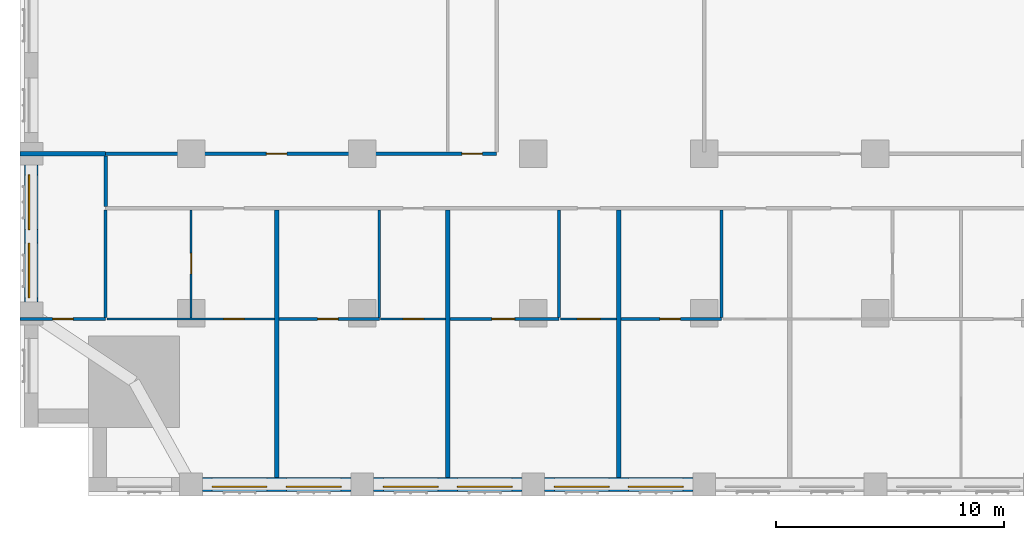
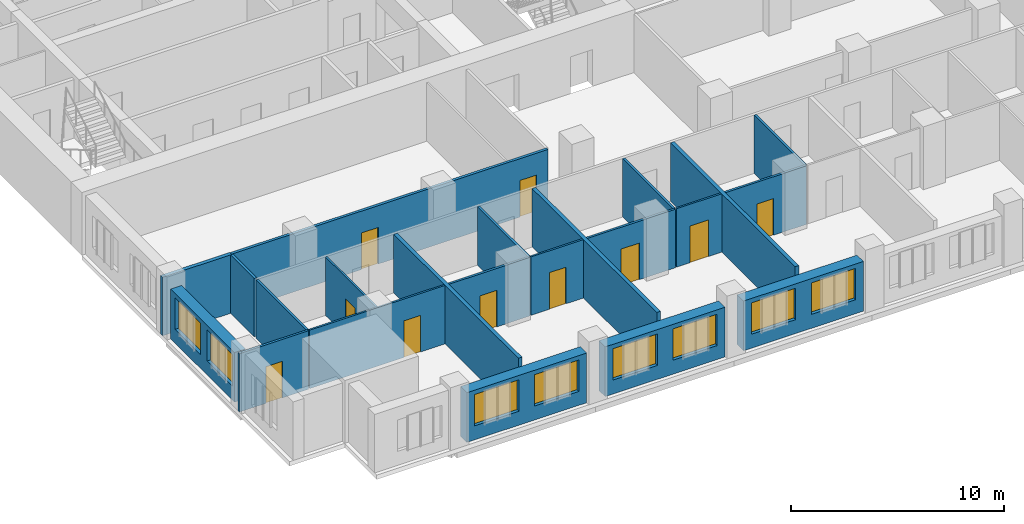
# One storey, part 4 of 14: 22 walls, 10 doors, 8 windows, 18 openings.
"""IFC4 building model written with IfcOpenShell, lengths in metres."""

from ifc_helpers import new_model, si_unit, direction, frame, frame_2d, origin, place, context, subcontext, project, spatial, rectangle, extrude, material, layer, layer_set, type_object, element, fill, save


model = new_model("IFC4")

# Units and contexts
model_context = context("Model", 3, precision=1e-05, world=origin(), true_north=direction((0.0, 1.0)))
body_context = subcontext(model_context, "Body", "Model", "MODEL_VIEW")
ifc_project = project(units=[si_unit("LENGTHUNIT", "METRE"), si_unit("AREAUNIT", "SQUARE_METRE"), si_unit("VOLUMEUNIT", "CUBIC_METRE"), si_unit("PLANEANGLEUNIT", "RADIAN"), si_unit("MASSUNIT", "GRAM", prefix="KILO")], contexts=[model_context])

# Site, building, storey
site_placement = place(None, origin())
site = spatial("IfcSite", under=ifc_project, at=site_placement, CompositionType="ELEMENT")
building_placement = place(site_placement, origin())
building = spatial("IfcBuilding", under=site, at=building_placement, Name="Tamorin Gate", CompositionType="ELEMENT")
storey_placement = place(building_placement, frame((0.0, 0.0, 52.0)))
storey = spatial("IfcBuildingStorey", under=building, at=storey_placement, Name="L11", CompositionType="ELEMENT", Elevation=52.0)

# Wall, openings, windows
ifc_material_1 = material(Name="Precast concrete C40/50", Category="concrete")
ifc_layer_1 = layer(ifc_material_1, 0.60009765625)
ifc_layer_set_1 = layer_set([ifc_layer_1], Name="Precast concrete C40/50")
wall_type_1 = type_object("IfcWallType", Name="Board-marked concrete facade panel 600", PredefinedType="SOLIDWALL", material=ifc_layer_set_1)
wall_1_placement = place(storey_placement, frame((38.0, 38.0, 0.0), z_axis=(0.0, 0.0, 1.0), x_axis=(1.0, 0.0, 0.0)))
wall_1 = element("IfcWall", 1, at=wall_1_placement, inside=storey, type_object=wall_type_1, Name="Facade panel", PredefinedType="SOLIDWALL", context=body_context, shape_type="SweptSolid", body=[
    extrude(rectangle(XDim=6.5, YDim=0.60009765625, at=frame_2d((3.25, 0.0))), origin(), (0.0, 0.0, 1.0), 2.85009765625),
])
opening_1_placement = place(wall_1_placement, frame((0.425048828125, 0.0, 0.800048828125)))
opening_1 = element("IfcOpeningElement", 2, at=opening_1_placement, cuts=wall_1, Name="Opening WN1", PredefinedType="OPENING", context=body_context, shape_type="SweptSolid", body=[
    extrude(rectangle(XDim=2.39990234375, YDim=1.800048828125, at=frame_2d((1.199951171875, 0.89990234375))), frame((0.0, 0.31005859375, 0.0), z_axis=(0.0, -1.0, 0.0), x_axis=(1.0, 0.0, 0.0)), (0.0, 0.0, 1.0), 0.6201171875),
])
opening_2_placement = place(wall_1_placement, frame((3.675048828125, 0.0, 0.800048828125)))
opening_2 = element("IfcOpeningElement", 3, at=opening_2_placement, cuts=wall_1, Name="Opening WN1", PredefinedType="OPENING", context=body_context, shape_type="SweptSolid", body=[
    extrude(rectangle(XDim=2.39990234375, YDim=1.800048828125, at=frame_2d((1.199951171875, 0.89990234375))), frame((0.0, 0.31005859375, 0.0), z_axis=(0.0, -1.0, 0.0), x_axis=(1.0, 0.0, 0.0)), (0.0, 0.0, 1.0), 0.6201171875),
])
ifc_material_2 = material(Name="Clear glass in aluminium frame", Category="aluminium")
window_type = type_object("IfcWindowType", Name="Deep-set window 2400x1800", PartitioningType="SINGLE_PANEL", PredefinedType="WINDOW", material=ifc_material_2)
window_1_placement = place(opening_1_placement, origin())
window_1 = element("IfcWindow", 4, at=window_1_placement, inside=storey, type_object=window_type, Name="Deep-set window", OverallHeight=1.800048828125, OverallWidth=2.39990234375, PartitioningType="SINGLE_PANEL", PredefinedType="WINDOW", context=body_context, shape_type="SweptSolid", body=[
    extrude(rectangle(XDim=2.39990234375, YDim=1.800048828125, at=frame_2d((1.199951171875, 0.89990234375))), frame((0.0, -0.070068359375, 0.0), z_axis=(0.0, -1.0, 0.0), x_axis=(1.0, 0.0, 0.0)), (0.0, 0.0, 1.0), 0.06005859375),
])
fill(opening_1, window_1)
window_2_placement = place(opening_2_placement, origin())
window_2 = element("IfcWindow", 5, at=window_2_placement, inside=storey, type_object=window_type, Name="Deep-set window", OverallHeight=1.800048828125, OverallWidth=2.39990234375, PartitioningType="SINGLE_PANEL", PredefinedType="WINDOW", context=body_context, shape_type="SweptSolid", body=[
    extrude(rectangle(XDim=2.39990234375, YDim=1.800048828125, at=frame_2d((1.199951171875, 0.89990234375))), frame((0.0, -0.070068359375, 0.0), z_axis=(0.0, -1.0, 0.0), x_axis=(1.0, 0.0, 0.0)), (0.0, 0.0, 1.0), 0.06005859375),
])
fill(opening_2, window_2)

wall_2_placement = place(storey_placement, frame((45.5, 38.0, 0.0), z_axis=(0.0, 0.0, 1.0), x_axis=(1.0, 0.0, 0.0)))
wall_2 = element("IfcWall", 6, at=wall_2_placement, inside=storey, type_object=wall_type_1, Name="Facade panel", PredefinedType="SOLIDWALL", context=body_context, shape_type="SweptSolid", body=[
    extrude(rectangle(XDim=6.5, YDim=0.60009765625, at=frame_2d((3.25, 0.0))), origin(), (0.0, 0.0, 1.0), 2.85009765625),
])
opening_3_placement = place(wall_2_placement, frame((0.425048828125, 0.0, 0.800048828125)))
opening_3 = element("IfcOpeningElement", 7, at=opening_3_placement, cuts=wall_2, Name="Opening WN1", PredefinedType="OPENING", context=body_context, shape_type="SweptSolid", body=[
    extrude(rectangle(XDim=2.39990234375, YDim=1.800048828125, at=frame_2d((1.199951171875, 0.89990234375))), frame((0.0, 0.31005859375, 0.0), z_axis=(0.0, -1.0, 0.0), x_axis=(1.0, 0.0, 0.0)), (0.0, 0.0, 1.0), 0.6201171875),
])
opening_4_placement = place(wall_2_placement, frame((3.675048828125, 0.0, 0.800048828125)))
opening_4 = element("IfcOpeningElement", 8, at=opening_4_placement, cuts=wall_2, Name="Opening WN1", PredefinedType="OPENING", context=body_context, shape_type="SweptSolid", body=[
    extrude(rectangle(XDim=2.39990234375, YDim=1.800048828125, at=frame_2d((1.199951171875, 0.89990234375))), frame((0.0, 0.31005859375, 0.0), z_axis=(0.0, -1.0, 0.0), x_axis=(1.0, 0.0, 0.0)), (0.0, 0.0, 1.0), 0.6201171875),
])
window_3_placement = place(opening_3_placement, origin())
window_3 = element("IfcWindow", 9, at=window_3_placement, inside=storey, type_object=window_type, Name="Deep-set window", OverallHeight=1.800048828125, OverallWidth=2.39990234375, PartitioningType="SINGLE_PANEL", PredefinedType="WINDOW", context=body_context, shape_type="SweptSolid", body=[
    extrude(rectangle(XDim=2.39990234375, YDim=1.800048828125, at=frame_2d((1.199951171875, 0.89990234375))), frame((0.0, -0.070068359375, 0.0), z_axis=(0.0, -1.0, 0.0), x_axis=(1.0, 0.0, 0.0)), (0.0, 0.0, 1.0), 0.06005859375),
])
fill(opening_3, window_3)
window_4_placement = place(opening_4_placement, origin())
window_4 = element("IfcWindow", 10, at=window_4_placement, inside=storey, type_object=window_type, Name="Deep-set window", OverallHeight=1.800048828125, OverallWidth=2.39990234375, PartitioningType="SINGLE_PANEL", PredefinedType="WINDOW", context=body_context, shape_type="SweptSolid", body=[
    extrude(rectangle(XDim=2.39990234375, YDim=1.800048828125, at=frame_2d((1.199951171875, 0.89990234375))), frame((0.0, -0.070068359375, 0.0), z_axis=(0.0, -1.0, 0.0), x_axis=(1.0, 0.0, 0.0)), (0.0, 0.0, 1.0), 0.06005859375),
])
fill(opening_4, window_4)

wall_3_placement = place(storey_placement, frame((53.0, 38.0, 0.0), z_axis=(0.0, 0.0, 1.0), x_axis=(1.0, 0.0, 0.0)))
wall_3 = element("IfcWall", 11, at=wall_3_placement, inside=storey, type_object=wall_type_1, Name="Facade panel", PredefinedType="SOLIDWALL", context=body_context, shape_type="SweptSolid", body=[
    extrude(rectangle(XDim=6.5, YDim=0.60009765625, at=frame_2d((3.25, 0.0))), origin(), (0.0, 0.0, 1.0), 2.85009765625),
])
opening_5_placement = place(wall_3_placement, frame((0.425048828125, 0.0, 0.800048828125)))
opening_5 = element("IfcOpeningElement", 12, at=opening_5_placement, cuts=wall_3, Name="Opening WN1", PredefinedType="OPENING", context=body_context, shape_type="SweptSolid", body=[
    extrude(rectangle(XDim=2.39990234375, YDim=1.800048828125, at=frame_2d((1.199951171875, 0.89990234375))), frame((0.0, 0.31005859375, 0.0), z_axis=(0.0, -1.0, 0.0), x_axis=(1.0, 0.0, 0.0)), (0.0, 0.0, 1.0), 0.6201171875),
])
opening_6_placement = place(wall_3_placement, frame((3.675048828125, 0.0, 0.800048828125)))
opening_6 = element("IfcOpeningElement", 13, at=opening_6_placement, cuts=wall_3, Name="Opening WN1", PredefinedType="OPENING", context=body_context, shape_type="SweptSolid", body=[
    extrude(rectangle(XDim=2.39990234375, YDim=1.800048828125, at=frame_2d((1.199951171875, 0.89990234375))), frame((0.0, 0.31005859375, 0.0), z_axis=(0.0, -1.0, 0.0), x_axis=(1.0, 0.0, 0.0)), (0.0, 0.0, 1.0), 0.6201171875),
])
window_5_placement = place(opening_5_placement, origin())
window_5 = element("IfcWindow", 14, at=window_5_placement, inside=storey, type_object=window_type, Name="Deep-set window", OverallHeight=1.800048828125, OverallWidth=2.39990234375, PartitioningType="SINGLE_PANEL", PredefinedType="WINDOW", context=body_context, shape_type="SweptSolid", body=[
    extrude(rectangle(XDim=2.39990234375, YDim=1.800048828125, at=frame_2d((1.199951171875, 0.89990234375))), frame((0.0, -0.070068359375, 0.0), z_axis=(0.0, -1.0, 0.0), x_axis=(1.0, 0.0, 0.0)), (0.0, 0.0, 1.0), 0.06005859375),
])
fill(opening_5, window_5)
window_6_placement = place(opening_6_placement, origin())
window_6 = element("IfcWindow", 15, at=window_6_placement, inside=storey, type_object=window_type, Name="Deep-set window", OverallHeight=1.800048828125, OverallWidth=2.39990234375, PartitioningType="SINGLE_PANEL", PredefinedType="WINDOW", context=body_context, shape_type="SweptSolid", body=[
    extrude(rectangle(XDim=2.39990234375, YDim=1.800048828125, at=frame_2d((1.199951171875, 0.89990234375))), frame((0.0, -0.070068359375, 0.0), z_axis=(0.0, -1.0, 0.0), x_axis=(1.0, 0.0, 0.0)), (0.0, 0.0, 1.0), 0.06005859375),
])
fill(opening_6, window_6)

wall_4_placement = place(storey_placement, frame((30.5, 52.0, 0.0), z_axis=(0.0, 0.0, 1.0), x_axis=(0.0, -1.0, 0.0)))
wall_4 = element("IfcWall", 16, at=wall_4_placement, inside=storey, type_object=wall_type_1, Name="Facade panel", PredefinedType="SOLIDWALL", context=body_context, shape_type="SweptSolid", body=[
    extrude(rectangle(XDim=6.0, YDim=0.60009765625, at=frame_2d((3.0, 0.0))), origin(), (0.0, 0.0, 1.0), 2.85009765625),
])
opening_7_placement = place(wall_4_placement, frame((3.425048828125, 0.0, 0.800048828125)))
opening_7 = element("IfcOpeningElement", 17, at=opening_7_placement, cuts=wall_4, Name="Opening WN1", PredefinedType="OPENING", context=body_context, shape_type="SweptSolid", body=[
    extrude(rectangle(XDim=2.39990234375, YDim=1.800048828125, at=frame_2d((1.199951171875, 0.89990234375))), frame((0.0, 0.31005859375, 0.0), z_axis=(0.0, -1.0, 0.0), x_axis=(1.0, 0.0, 0.0)), (0.0, 0.0, 1.0), 0.6201171875),
])
opening_8_placement = place(wall_4_placement, frame((0.425048828125, 0.0, 0.800048828125)))
opening_8 = element("IfcOpeningElement", 18, at=opening_8_placement, cuts=wall_4, Name="Opening WN1", PredefinedType="OPENING", context=body_context, shape_type="SweptSolid", body=[
    extrude(rectangle(XDim=2.39990234375, YDim=1.800048828125, at=frame_2d((1.199951171875, 0.89990234375))), frame((0.0, 0.31005859375, 0.0), z_axis=(0.0, -1.0, 0.0), x_axis=(1.0, 0.0, 0.0)), (0.0, 0.0, 1.0), 0.6201171875),
])
window_7_placement = place(opening_7_placement, origin())
window_7 = element("IfcWindow", 19, at=window_7_placement, inside=storey, type_object=window_type, Name="Deep-set window", OverallHeight=1.800048828125, OverallWidth=2.39990234375, PartitioningType="SINGLE_PANEL", PredefinedType="WINDOW", context=body_context, shape_type="SweptSolid", body=[
    extrude(rectangle(XDim=2.39990234375, YDim=1.800048828125, at=frame_2d((1.199951171875, 0.89990234375))), frame((0.0, -0.070068359375, 0.0), z_axis=(0.0, -1.0, 0.0), x_axis=(1.0, 0.0, 0.0)), (0.0, 0.0, 1.0), 0.06005859375),
])
fill(opening_7, window_7)
window_8_placement = place(opening_8_placement, origin())
window_8 = element("IfcWindow", 20, at=window_8_placement, inside=storey, type_object=window_type, Name="Deep-set window", OverallHeight=1.800048828125, OverallWidth=2.39990234375, PartitioningType="SINGLE_PANEL", PredefinedType="WINDOW", context=body_context, shape_type="SweptSolid", body=[
    extrude(rectangle(XDim=2.39990234375, YDim=1.800048828125, at=frame_2d((1.199951171875, 0.89990234375))), frame((0.0, -0.070068359375, 0.0), z_axis=(0.0, -1.0, 0.0), x_axis=(1.0, 0.0, 0.0)), (0.0, 0.0, 1.0), 0.06005859375),
])
fill(opening_8, window_8)

# Wall, openings, doors
ifc_material_3 = material(Name="Gypsum board partition")
ifc_layer_2 = layer(ifc_material_3, 0.14990234375)
ifc_layer_set_2 = layer_set([ifc_layer_2], Name="Corridor wall 150")
wall_type_2 = type_object("IfcWallType", Name="Corridor wall 150", PredefinedType="PARTITIONING", material=ifc_layer_set_2)
wall_5_placement = place(storey_placement, frame((33.75, 52.5, 0.0), z_axis=(0.0, 0.0, 1.0), x_axis=(1.0, 0.0, 0.0)))
wall_5 = element("IfcWall", 21, at=wall_5_placement, inside=storey, type_object=wall_type_2, Name="Corridor wall 150", PredefinedType="PARTITIONING", context=body_context, shape_type="SweptSolid", body=[
    extrude(rectangle(XDim=17.14990234375, YDim=0.14990234375, at=frame_2d((8.574951171875, 0.0))), origin(), (0.0, 0.0, 1.0), 3.35009765625),
])
opening_9_placement = place(wall_5_placement, frame((7.050048828125, 0.0, 0.0)))
opening_9 = element("IfcOpeningElement", 22, at=opening_9_placement, cuts=wall_5, Name="Opening DH2067", PredefinedType="OPENING", context=body_context, shape_type="SweptSolid", body=[
    extrude(rectangle(XDim=0.89990234375, YDim=2.10009765625, at=frame_2d((0.449951171875, 1.050048828125))), frame((0.0, 0.0849609375, 0.0), z_axis=(0.0, -1.0, 0.0), x_axis=(1.0, 0.0, 0.0)), (0.0, 0.0, 1.0), 0.169921875),
])
opening_10_placement = place(wall_5_placement, frame((15.625, 0.0, 0.0)))
opening_10 = element("IfcOpeningElement", 23, at=opening_10_placement, cuts=wall_5, Name="Opening DH2068", PredefinedType="OPENING", context=body_context, shape_type="SweptSolid", body=[
    extrude(rectangle(XDim=0.89990234375, YDim=2.10009765625, at=frame_2d((0.449951171875, 1.050048828125))), frame((0.0, 0.0849609375, 0.0), z_axis=(0.0, -1.0, 0.0), x_axis=(1.0, 0.0, 0.0)), (0.0, 0.0, 1.0), 0.169921875),
])
ifc_material_4 = material(Name="Timber door leaf", Category="wood")
door_type_1 = type_object("IfcDoorType", Name="Door 900 x 2100 FD30S", OperationType="NOTDEFINED", PredefinedType="DOOR", material=ifc_material_4)
door_1_placement = place(opening_9_placement, origin())
door_1 = element("IfcDoor", 24, at=door_1_placement, inside=storey, type_object=door_type_1, Name="Door DH2067", OperationType="SINGLE_SWING_LEFT", OverallHeight=2.10009765625, OverallWidth=0.89990234375, PredefinedType="DOOR", context=body_context, shape_type="SweptSolid", body=[
    extrude(rectangle(XDim=0.89990234375, YDim=2.10009765625, at=frame_2d((0.449951171875, 1.050048828125))), frame((0.0, 0.02490234375, 0.0), z_axis=(0.0, -1.0, 0.0), x_axis=(1.0, 0.0, 0.0)), (0.0, 0.0, 1.0), 0.050048828125),
])
fill(opening_9, door_1)
door_2_placement = place(opening_10_placement, origin())
door_2 = element("IfcDoor", 25, at=door_2_placement, inside=storey, type_object=door_type_1, Name="Door DH2068", OperationType="SINGLE_SWING_LEFT", OverallHeight=2.10009765625, OverallWidth=0.89990234375, PredefinedType="DOOR", context=body_context, shape_type="SweptSolid", body=[
    extrude(rectangle(XDim=0.89990234375, YDim=2.10009765625, at=frame_2d((0.449951171875, 1.050048828125))), frame((0.0, 0.02490234375, 0.0), z_axis=(0.0, -1.0, 0.0), x_axis=(1.0, 0.0, 0.0)), (0.0, 0.0, 1.0), 0.050048828125),
])
fill(opening_10, door_2)

# Walls
wall_6_placement = place(storey_placement, frame((33.75, 50.175048828125, 0.0), z_axis=(0.0, 0.0, 1.0), x_axis=(0.0, 1.0, 0.0)))
element("IfcWall", 26, at=wall_6_placement, inside=storey, type_object=wall_type_2, Name="Corridor wall 150", PredefinedType="PARTITIONING", context=body_context, shape_type="SweptSolid", body=[
    extrude(rectangle(XDim=2.224853515625, YDim=0.14990234375, at=frame_2d((1.1123046875, 0.0))), origin(), (0.0, 0.0, 1.0), 3.35009765625),
])
ifc_layer_3 = layer(ifc_material_3, 0.199951171875)
ifc_layer_set_3 = layer_set([ifc_layer_3], Name="Demising wall 200")
wall_type_3 = type_object("IfcWallType", Name="Demising wall 200", PredefinedType="PARTITIONING", material=ifc_layer_set_3)
wall_7_placement = place(storey_placement, frame((30.0, 52.5, 0.0), z_axis=(0.0, 0.0, 1.0), x_axis=(1.0, 0.0, 0.0)))
element("IfcWall", 27, at=wall_7_placement, inside=storey, type_object=wall_type_3, Name="Demising wall 200", PredefinedType="PARTITIONING", context=body_context, shape_type="SweptSolid", body=[
    extrude(rectangle(XDim=3.75, YDim=0.199951171875, at=frame_2d((1.875, 0.0))), origin(), (0.0, 0.0, 1.0), 3.35009765625),
])
for number, where, z_axis, x_axis, name in (
    (28, (41.25, 38.31005859375, 0.0), (0.0, 0.0, 1.0), (0.0, 1.0, 0.0), "Demising wall 200"),
    (29, (48.75, 38.31005859375, 0.0), (0.0, 0.0, 1.0), (0.0, 1.0, 0.0), "Demising wall 200"),
    (30, (56.25, 38.31005859375, 0.0), (0.0, 0.0, 1.0), (0.0, 1.0, 0.0), "Demising wall 200"),
):
    element("IfcWall", number, at=place(storey_placement, frame(where, z_axis=z_axis, x_axis=x_axis)), inside=storey, type_object=wall_type_3, Name=name, PredefinedType="PARTITIONING", context=body_context, shape_type="SweptSolid", body=[
        extrude(rectangle(XDim=11.71484375, YDim=0.199951171875, at=frame_2d((5.857421875, 0.0))), origin(), (0.0, 0.0, 1.0), 3.35009765625),
    ])

# Wall, opening, door
ifc_layer_4 = layer(ifc_material_3, 0.10009765625)
ifc_layer_set_4 = layer_set([ifc_layer_4], Name="Room partition 100")
wall_type_4 = type_object("IfcWallType", Name="Room partition 100", PredefinedType="PARTITIONING", material=ifc_layer_set_4)
wall_8_placement = place(storey_placement, frame((33.8125, 45.25, 0.0), z_axis=(0.0, 0.0, 1.0), x_axis=(1.0, 0.0, 0.0)))
wall_8 = element("IfcWall", 31, at=wall_8_placement, inside=storey, type_object=wall_type_4, Name="Room partition 100", PredefinedType="PARTITIONING", context=body_context, shape_type="SweptSolid", body=[
    extrude(rectangle(XDim=7.33740234375, YDim=0.10009765625, at=frame_2d((3.668701171875, 0.0))), origin(), (0.0, 0.0, 1.0), 3.35009765625),
])
opening_11_placement = place(wall_8_placement, frame((5.112548828125, 0.0, 0.0)))
opening_11 = element("IfcOpeningElement", 32, at=opening_11_placement, cuts=wall_8, Name="Opening DH2004", PredefinedType="OPENING", context=body_context, shape_type="SweptSolid", body=[
    extrude(rectangle(XDim=0.89990234375, YDim=2.10009765625, at=frame_2d((0.449951171875, 1.050048828125))), frame((0.0, 0.06005859375, 0.0), z_axis=(0.0, -1.0, 0.0), x_axis=(1.0, 0.0, 0.0)), (0.0, 0.0, 1.0), 0.1201171875),
])
door_type_2 = type_object("IfcDoorType", Name="Door 900 x 2100", OperationType="NOTDEFINED", PredefinedType="DOOR", material=ifc_material_4)
door_3_placement = place(opening_11_placement, origin())
door_3 = element("IfcDoor", 33, at=door_3_placement, inside=storey, type_object=door_type_2, Name="Door DH2004", OperationType="SINGLE_SWING_LEFT", OverallHeight=2.10009765625, OverallWidth=0.89990234375, PredefinedType="DOOR", context=body_context, shape_type="SweptSolid", body=[
    extrude(rectangle(XDim=0.89990234375, YDim=2.10009765625, at=frame_2d((0.449951171875, 1.050048828125))), frame((0.0, 0.02490234375, 0.0), z_axis=(0.0, -1.0, 0.0), x_axis=(1.0, 0.0, 0.0)), (0.0, 0.0, 1.0), 0.050048828125),
])
fill(opening_11, door_3)

wall_9_placement = place(storey_placement, frame((45.8125, 45.25, 0.0), z_axis=(0.0, 0.0, 1.0), x_axis=(1.0, 0.0, 0.0)))
wall_9 = element("IfcWall", 34, at=wall_9_placement, inside=storey, type_object=wall_type_4, Name="Room partition 100", PredefinedType="PARTITIONING", context=body_context, shape_type="SweptSolid", body=[
    extrude(rectangle(XDim=2.83740234375, YDim=0.10009765625, at=frame_2d((1.418701171875, 0.0))), origin(), (0.0, 0.0, 1.0), 3.35009765625),
])
opening_12_placement = place(wall_9_placement, frame((0.987548828125, 0.0, 0.0)))
opening_12 = element("IfcOpeningElement", 35, at=opening_12_placement, cuts=wall_9, Name="Opening DH2007", PredefinedType="OPENING", context=body_context, shape_type="SweptSolid", body=[
    extrude(rectangle(XDim=0.89990234375, YDim=2.10009765625, at=frame_2d((0.449951171875, 1.050048828125))), frame((0.0, 0.06005859375, 0.0), z_axis=(0.0, -1.0, 0.0), x_axis=(1.0, 0.0, 0.0)), (0.0, 0.0, 1.0), 0.1201171875),
])
door_4_placement = place(opening_12_placement, origin())
door_4 = element("IfcDoor", 36, at=door_4_placement, inside=storey, type_object=door_type_2, Name="Door DH2007", OperationType="SINGLE_SWING_LEFT", OverallHeight=2.10009765625, OverallWidth=0.89990234375, PredefinedType="DOOR", context=body_context, shape_type="SweptSolid", body=[
    extrude(rectangle(XDim=0.89990234375, YDim=2.10009765625, at=frame_2d((0.449951171875, 1.050048828125))), frame((0.0, 0.02490234375, 0.0), z_axis=(0.0, -1.0, 0.0), x_axis=(1.0, 0.0, 0.0)), (0.0, 0.0, 1.0), 0.050048828125),
])
fill(opening_12, door_4)

wall_10_placement = place(storey_placement, frame((53.6875, 45.25, 0.0), z_axis=(0.0, 0.0, 1.0), x_axis=(1.0, 0.0, 0.0)))
wall_10 = element("IfcWall", 37, at=wall_10_placement, inside=storey, type_object=wall_type_4, Name="Room partition 100", PredefinedType="PARTITIONING", context=body_context, shape_type="SweptSolid", body=[
    extrude(rectangle(XDim=2.46240234375, YDim=0.10009765625, at=frame_2d((1.231201171875, 0.0))), origin(), (0.0, 0.0, 1.0), 3.35009765625),
])
opening_13_placement = place(wall_10_placement, frame((0.75, 0.0, 0.0)))
opening_13 = element("IfcOpeningElement", 38, at=opening_13_placement, cuts=wall_10, Name="Opening DH2010", PredefinedType="OPENING", context=body_context, shape_type="SweptSolid", body=[
    extrude(rectangle(XDim=1.0, YDim=2.10009765625, at=frame_2d((0.5, 1.050048828125))), frame((0.0, 0.06005859375, 0.0), z_axis=(0.0, -1.0, 0.0), x_axis=(1.0, 0.0, 0.0)), (0.0, 0.0, 1.0), 0.1201171875),
])
door_type_3 = type_object("IfcDoorType", Name="Door 1000 x 2100", OperationType="NOTDEFINED", PredefinedType="DOOR", material=ifc_material_4)
door_5_placement = place(opening_13_placement, origin())
door_5 = element("IfcDoor", 39, at=door_5_placement, inside=storey, type_object=door_type_3, Name="Door DH2010", OperationType="SINGLE_SWING_LEFT", OverallHeight=2.10009765625, OverallWidth=1.0, PredefinedType="DOOR", context=body_context, shape_type="SweptSolid", body=[
    extrude(rectangle(XDim=1.0, YDim=2.10009765625, at=frame_2d((0.5, 1.050048828125))), frame((0.0, 0.02490234375, 0.0), z_axis=(0.0, -1.0, 0.0), x_axis=(1.0, 0.0, 0.0)), (0.0, 0.0, 1.0), 0.050048828125),
])
fill(opening_13, door_5)

wall_11_placement = place(storey_placement, frame((37.5, 45.300048828125, 0.0), z_axis=(0.0, 0.0, 1.0), x_axis=(0.0, 1.0, 0.0)))
wall_11 = element("IfcWall", 40, at=wall_11_placement, inside=storey, type_object=wall_type_4, Name="Room partition 100", PredefinedType="PARTITIONING", context=body_context, shape_type="SweptSolid", body=[
    extrude(rectangle(XDim=4.724853515625, YDim=0.10009765625, at=frame_2d((2.3623046875, 0.0))), origin(), (0.0, 0.0, 1.0), 3.35009765625),
])
opening_14_placement = place(wall_11_placement, frame((1.925048828125, 0.0, 0.0)))
opening_14 = element("IfcOpeningElement", 41, at=opening_14_placement, cuts=wall_11, Name="Opening DH2002", PredefinedType="OPENING", context=body_context, shape_type="SweptSolid", body=[
    extrude(rectangle(XDim=0.89990234375, YDim=2.10009765625, at=frame_2d((0.449951171875, 1.050048828125))), frame((0.0, 0.06005859375, 0.0), z_axis=(0.0, -1.0, 0.0), x_axis=(1.0, 0.0, 0.0)), (0.0, 0.0, 1.0), 0.1201171875),
])
door_6_placement = place(opening_14_placement, origin())
door_6 = element("IfcDoor", 42, at=door_6_placement, inside=storey, type_object=door_type_2, Name="Door DH2002", OperationType="SINGLE_SWING_RIGHT", OverallHeight=2.10009765625, OverallWidth=0.89990234375, PredefinedType="DOOR", context=body_context, shape_type="SweptSolid", body=[
    extrude(rectangle(XDim=0.89990234375, YDim=2.10009765625, at=frame_2d((0.449951171875, 1.050048828125))), frame((0.0, 0.02490234375, 0.0), z_axis=(0.0, -1.0, 0.0), x_axis=(1.0, 0.0, 0.0)), (0.0, 0.0, 1.0), 0.050048828125),
])
fill(opening_14, door_6)

ifc_layer_5 = layer(ifc_material_3, 0.125)
ifc_layer_set_5 = layer_set([ifc_layer_5], Name="Wet wall 125")
wall_type_5 = type_object("IfcWallType", Name="Wet wall 125", PredefinedType="PARTITIONING", material=ifc_layer_set_5)
wall_12_placement = place(storey_placement, frame((30.0, 45.25, 0.0), z_axis=(0.0, 0.0, 1.0), x_axis=(1.0, 0.0, 0.0)))
wall_12 = element("IfcWall", 43, at=wall_12_placement, inside=storey, type_object=wall_type_5, Name="Wet wall 125", PredefinedType="PARTITIONING", context=body_context, shape_type="SweptSolid", body=[
    extrude(rectangle(XDim=3.75, YDim=0.125, at=frame_2d((1.875, 0.0))), origin(), (0.0, 0.0, 1.0), 3.35009765625),
])
opening_15_placement = place(wall_12_placement, frame((1.425048828125, 0.0, 0.0)))
opening_15 = element("IfcOpeningElement", 44, at=opening_15_placement, cuts=wall_12, Name="Opening DH2001", PredefinedType="OPENING", context=body_context, shape_type="SweptSolid", body=[
    extrude(rectangle(XDim=0.89990234375, YDim=2.10009765625, at=frame_2d((0.449951171875, 1.050048828125))), frame((0.0, 0.072509765625, 0.0), z_axis=(0.0, -1.0, 0.0), x_axis=(1.0, 0.0, 0.0)), (0.0, 0.0, 1.0), 0.14501953125),
])
door_7_placement = place(opening_15_placement, origin())
door_7 = element("IfcDoor", 45, at=door_7_placement, inside=storey, type_object=door_type_2, Name="Door DH2001", OperationType="SINGLE_SWING_LEFT", OverallHeight=2.10009765625, OverallWidth=0.89990234375, PredefinedType="DOOR", context=body_context, shape_type="SweptSolid", body=[
    extrude(rectangle(XDim=0.89990234375, YDim=2.10009765625, at=frame_2d((0.449951171875, 1.050048828125))), frame((0.0, 0.02490234375, 0.0), z_axis=(0.0, -1.0, 0.0), x_axis=(1.0, 0.0, 0.0)), (0.0, 0.0, 1.0), 0.050048828125),
])
fill(opening_15, door_7)

wall_13_placement = place(storey_placement, frame((41.35009765625, 45.25, 0.0), z_axis=(0.0, 0.0, 1.0), x_axis=(1.0, 0.0, 0.0)))
wall_13 = element("IfcWall", 46, at=wall_13_placement, inside=storey, type_object=wall_type_5, Name="Wet wall 125", PredefinedType="PARTITIONING", context=body_context, shape_type="SweptSolid", body=[
    extrude(rectangle(XDim=4.39990234375, YDim=0.125, at=frame_2d((2.199951171875, 0.0))), origin(), (0.0, 0.0, 1.0), 3.35009765625),
])
opening_16_placement = place(wall_13_placement, frame((1.699951171875, 0.0, 0.0)))
opening_16 = element("IfcOpeningElement", 47, at=opening_16_placement, cuts=wall_13, Name="Opening DH2005", PredefinedType="OPENING", context=body_context, shape_type="SweptSolid", body=[
    extrude(rectangle(XDim=0.89990234375, YDim=2.10009765625, at=frame_2d((0.449951171875, 1.050048828125))), frame((0.0, 0.072509765625, 0.0), z_axis=(0.0, -1.0, 0.0), x_axis=(1.0, 0.0, 0.0)), (0.0, 0.0, 1.0), 0.14501953125),
])
door_8_placement = place(opening_16_placement, origin())
door_8 = element("IfcDoor", 48, at=door_8_placement, inside=storey, type_object=door_type_2, Name="Door DH2005", OperationType="SINGLE_SWING_LEFT", OverallHeight=2.10009765625, OverallWidth=0.89990234375, PredefinedType="DOOR", context=body_context, shape_type="SweptSolid", body=[
    extrude(rectangle(XDim=0.89990234375, YDim=2.10009765625, at=frame_2d((0.449951171875, 1.050048828125))), frame((0.0, 0.02490234375, 0.0), z_axis=(0.0, -1.0, 0.0), x_axis=(1.0, 0.0, 0.0)), (0.0, 0.0, 1.0), 0.050048828125),
])
fill(opening_16, door_8)

wall_14_placement = place(storey_placement, frame((48.85009765625, 45.25, 0.0), z_axis=(0.0, 0.0, 1.0), x_axis=(1.0, 0.0, 0.0)))
wall_14 = element("IfcWall", 49, at=wall_14_placement, inside=storey, type_object=wall_type_5, Name="Wet wall 125", PredefinedType="PARTITIONING", context=body_context, shape_type="SweptSolid", body=[
    extrude(rectangle(XDim=4.77490234375, YDim=0.125, at=frame_2d((2.387451171875, 0.0))), origin(), (0.0, 0.0, 1.0), 3.35009765625),
])
opening_17_placement = place(wall_14_placement, frame((1.83740234375, 0.0, 0.0)))
opening_17 = element("IfcOpeningElement", 50, at=opening_17_placement, cuts=wall_14, Name="Opening DH2008", PredefinedType="OPENING", context=body_context, shape_type="SweptSolid", body=[
    extrude(rectangle(XDim=1.0, YDim=2.10009765625, at=frame_2d((0.5, 1.050048828125))), frame((0.0, 0.072509765625, 0.0), z_axis=(0.0, -1.0, 0.0), x_axis=(1.0, 0.0, 0.0)), (0.0, 0.0, 1.0), 0.14501953125),
])
door_9_placement = place(opening_17_placement, origin())
door_9 = element("IfcDoor", 51, at=door_9_placement, inside=storey, type_object=door_type_3, Name="Door DH2008", OperationType="SINGLE_SWING_LEFT", OverallHeight=2.10009765625, OverallWidth=1.0, PredefinedType="DOOR", context=body_context, shape_type="SweptSolid", body=[
    extrude(rectangle(XDim=1.0, YDim=2.10009765625, at=frame_2d((0.5, 1.050048828125))), frame((0.0, 0.02490234375, 0.0), z_axis=(0.0, -1.0, 0.0), x_axis=(1.0, 0.0, 0.0)), (0.0, 0.0, 1.0), 0.050048828125),
])
fill(opening_17, door_9)

wall_15_placement = place(storey_placement, frame((56.35009765625, 45.25, 0.0), z_axis=(0.0, 0.0, 1.0), x_axis=(1.0, 0.0, 0.0)))
wall_15 = element("IfcWall", 52, at=wall_15_placement, inside=storey, type_object=wall_type_5, Name="Wet wall 125", PredefinedType="PARTITIONING", context=body_context, shape_type="SweptSolid", body=[
    extrude(rectangle(XDim=4.39990234375, YDim=0.125, at=frame_2d((2.199951171875, 0.0))), origin(), (0.0, 0.0, 1.0), 3.35009765625),
])
opening_18_placement = place(wall_15_placement, frame((1.699951171875, 0.0, 0.0)))
opening_18 = element("IfcOpeningElement", 53, at=opening_18_placement, cuts=wall_15, Name="Opening DH2011", PredefinedType="OPENING", context=body_context, shape_type="SweptSolid", body=[
    extrude(rectangle(XDim=0.89990234375, YDim=2.10009765625, at=frame_2d((0.449951171875, 1.050048828125))), frame((0.0, 0.072509765625, 0.0), z_axis=(0.0, -1.0, 0.0), x_axis=(1.0, 0.0, 0.0)), (0.0, 0.0, 1.0), 0.14501953125),
])
door_10_placement = place(opening_18_placement, origin())
door_10 = element("IfcDoor", 54, at=door_10_placement, inside=storey, type_object=door_type_2, Name="Door DH2011", OperationType="SINGLE_SWING_LEFT", OverallHeight=2.10009765625, OverallWidth=0.89990234375, PredefinedType="DOOR", context=body_context, shape_type="SweptSolid", body=[
    extrude(rectangle(XDim=0.89990234375, YDim=2.10009765625, at=frame_2d((0.449951171875, 1.050048828125))), frame((0.0, 0.02490234375, 0.0), z_axis=(0.0, -1.0, 0.0), x_axis=(1.0, 0.0, 0.0)), (0.0, 0.0, 1.0), 0.050048828125),
])
fill(opening_18, door_10)

# Walls
for number, where, z_axis, x_axis, name in (
    (55, (33.75, 45.3125, 0.0), (0.0, 0.0, 1.0), (0.0, 1.0, 0.0), "Wet wall 125"),
    (56, (45.75, 45.3125, 0.0), (0.0, 0.0, 1.0), (0.0, 1.0, 0.0), "Wet wall 125"),
    (57, (53.625, 45.3125, 0.0), (0.0, 0.0, 1.0), (0.0, 1.0, 0.0), "Wet wall 125"),
    (58, (60.75, 45.3125, 0.0), (0.0, 0.0, 1.0), (0.0, 1.0, 0.0), "Wet wall 125"),
):
    element("IfcWall", number, at=place(storey_placement, frame(where, z_axis=z_axis, x_axis=x_axis)), inside=storey, type_object=wall_type_5, Name=name, PredefinedType="PARTITIONING", context=body_context, shape_type="SweptSolid", body=[
        extrude(rectangle(XDim=4.71240234375, YDim=0.125, at=frame_2d((2.356201171875, 0.0))), origin(), (0.0, 0.0, 1.0), 3.35009765625),
    ])

save(model, "model.ifc")
